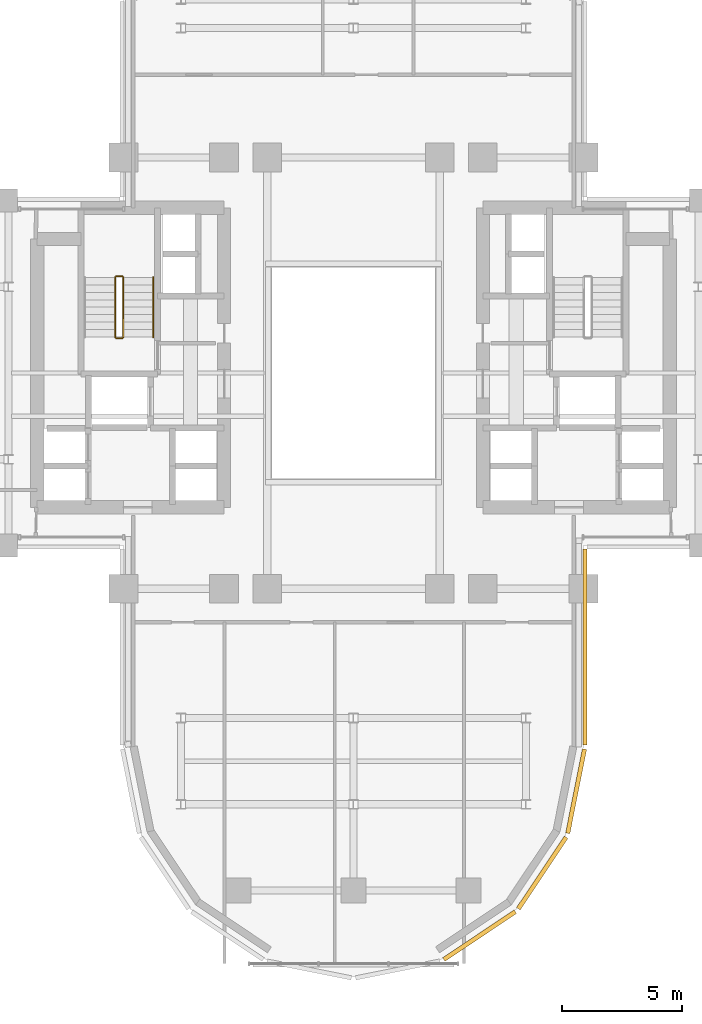
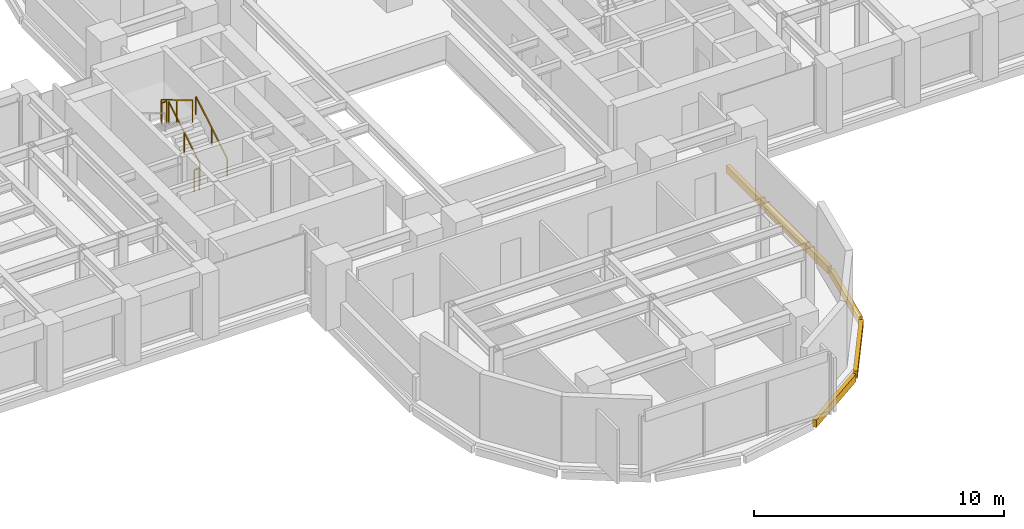
# One storey, part 14 of 16: 5 railings, 4 coverings.
"""IFC4 building model written with IfcOpenShell, lengths in metres."""

from ifc_helpers import new_model, si_unit, direction, frame, origin, origin_2d, place, context, subcontext, project, spatial, rectangle, extrude, source, transform, mapped, material, layer, layer_set, type_object, element, save


model = new_model("IFC4")

# Units and contexts
model_context = context("Model", 3, precision=1e-05, world=origin(), true_north=direction((0.0, 1.0)))
body_context = subcontext(model_context, "Body", "Model", "MODEL_VIEW")
ifc_project = project(units=[si_unit("LENGTHUNIT", "METRE"), si_unit("AREAUNIT", "SQUARE_METRE"), si_unit("VOLUMEUNIT", "CUBIC_METRE"), si_unit("PLANEANGLEUNIT", "RADIAN"), si_unit("MASSUNIT", "GRAM", prefix="KILO")], contexts=[model_context])

# Site, building, storey
site_placement = place(None, origin())
site = spatial("IfcSite", under=ifc_project, at=site_placement, CompositionType="ELEMENT")
building_placement = place(site_placement, origin())
building = spatial("IfcBuilding", under=site, at=building_placement, Name="Keilestroom Media Tower", CompositionType="ELEMENT")
storey_placement = place(building_placement, frame((0.0, 0.0, 71.39990234375)))
storey = spatial("IfcBuildingStorey", under=building, at=storey_placement, Name="L18", CompositionType="ELEMENT", Elevation=71.39990234375)

# Railings
ifc_material_1 = material(Name="Brushed Stainless Steel 1.4301", Category="steel")
railing_type_1 = type_object("IfcRailingType", Name="Stair-Pitch-Handrail-920", PredefinedType="HANDRAIL", material=ifc_material_1)
railing_1_placement = place(storey_placement, frame((-8.35009765625, 1.5, 0.18896484375)))
element("IfcRailing", 1, at=railing_1_placement, inside=storey, type_object=railing_type_1, Name="L18 ST-1 stair handrail 1", PredefinedType="HANDRAIL", context=body_context, shape_type="SweptSolid", body=[
    extrude(rectangle(XDim=0.048095703125, YDim=0.048095703125, at=origin_2d()), frame((0.0, 0.0, 0.8759765625), z_axis=(0.0, 0.855433747314, 0.517912255074), x_axis=(-1.0, 0.0, 0.0)), (0.0, 0.0, 1.0), 2.91796875),
    extrude(rectangle(XDim=0.0419921875, YDim=0.0419921875, at=origin_2d()), origin(), (0.0, 0.0, 1.0), 0.84375),
    extrude(rectangle(XDim=0.0419921875, YDim=0.0419921875, at=origin_2d()), frame((0.0, 1.248046875, 0.755615234375)), (0.0, 0.0, 1.0), 0.84375),
    extrude(rectangle(XDim=0.0419921875, YDim=0.0419921875, at=origin_2d()), frame((0.0, 2.49609375, 1.51123046875)), (0.0, 0.0, 1.0), 0.84375),
])
ifc_material_2 = material(Name="Painted Steel Balustrade", Category="steel")
railing_type_2 = type_object("IfcRailingType", Name="Stair-Well-And-Landing-Guard-1100", PredefinedType="GUARDRAIL", material=ifc_material_2)
railing_2_placement = place(storey_placement, frame((-9.610107421875, 1.5, 0.18896484375)))
element("IfcRailing", 2, at=railing_2_placement, inside=storey, type_object=railing_type_2, Name="L18 ST-1 stair guard 1", PredefinedType="GUARDRAIL", context=body_context, shape_type="SweptSolid", body=[
    extrude(rectangle(XDim=0.048095703125, YDim=0.048095703125, at=origin_2d()), frame((0.0, 0.0, 1.076171875), z_axis=(0.0, 0.855433747314, 0.517912255074), x_axis=(-1.0, 0.0, 0.0)), (0.0, 0.0, 1.0), 2.91796875),
    extrude(rectangle(XDim=0.0419921875, YDim=0.0419921875, at=origin_2d()), origin(), (0.0, 0.0, 1.0), 1.0439453125),
    extrude(rectangle(XDim=0.0419921875, YDim=0.0419921875, at=origin_2d()), frame((0.0, 1.248046875, 0.755615234375)), (0.0, 0.0, 1.0), 1.0439453125),
    extrude(rectangle(XDim=0.0419921875, YDim=0.0419921875, at=origin_2d()), frame((0.0, 2.49609375, 1.51123046875)), (0.0, 0.0, 1.0), 1.0439453125),
])
railing_3_placement = place(storey_placement, frame((-9.659912109375, 4.0458984375, 1.7001953125)))
element("IfcRailing", 3, at=railing_3_placement, inside=storey, type_object=railing_type_2, Name="L18 ST-1 stair guard 2", PredefinedType="GUARDRAIL", context=body_context, shape_type="SweptSolid", body=[
    extrude(rectangle(XDim=0.048095703125, YDim=0.048095703125, at=origin_2d()), frame((0.0, 0.0, 1.076171875), z_axis=(-1.0, 0.0, 0.0), x_axis=(0.0, -1.0, 0.0)), (0.0, 0.0, 1.0), 0.239990234375),
    extrude(rectangle(XDim=0.0419921875, YDim=0.0419921875, at=origin_2d()), origin(), (0.0, 0.0, 1.0), 1.0439453125),
    extrude(rectangle(XDim=0.0419921875, YDim=0.0419921875, at=origin_2d()), frame((-0.239990234375, 0.0, 0.0)), (0.0, 0.0, 1.0), 1.0439453125),
])
railing_4_placement = place(storey_placement, frame((-9.949951171875, 3.99609375, 1.888916015625)))
element("IfcRailing", 4, at=railing_4_placement, inside=storey, type_object=railing_type_2, Name="L18 ST-1 stair guard 3", PredefinedType="GUARDRAIL", context=body_context, shape_type="SweptSolid", body=[
    extrude(rectangle(XDim=0.048095703125, YDim=0.048095703125, at=origin_2d()), frame((0.0, 0.0, 1.076171875), z_axis=(0.0, -0.855433747314, 0.517912255074), x_axis=(1.0, 0.0, 0.0)), (0.0, 0.0, 1.0), 2.91796875),
    extrude(rectangle(XDim=0.0419921875, YDim=0.0419921875, at=origin_2d()), origin(), (0.0, 0.0, 1.0), 1.0439453125),
    extrude(rectangle(XDim=0.0419921875, YDim=0.0419921875, at=origin_2d()), frame((0.0, -1.248046875, 0.755615234375)), (0.0, 0.0, 1.0), 1.0439453125),
    extrude(rectangle(XDim=0.0419921875, YDim=0.0419921875, at=origin_2d()), frame((0.0, -2.49609375, 1.51123046875)), (0.0, 0.0, 1.0), 1.0439453125),
])
railing_5_placement = place(storey_placement, frame((-9.659912109375, 1.449951171875, 0.0)))
element("IfcRailing", 5, at=railing_5_placement, inside=storey, type_object=railing_type_2, Name="L18 ST-1 stair guard 4", PredefinedType="GUARDRAIL", context=body_context, shape_type="SweptSolid", body=[
    extrude(rectangle(XDim=0.048095703125, YDim=0.048095703125, at=origin_2d()), frame((0.0, 0.0, 1.076171875), z_axis=(-1.0, 0.0, 0.0), x_axis=(0.0, -1.0, 0.0)), (0.0, 0.0, 1.0), 0.239990234375),
    extrude(rectangle(XDim=0.0419921875, YDim=0.0419921875, at=origin_2d()), origin(), (0.0, 0.0, 1.0), 1.0439453125),
    extrude(rectangle(XDim=0.0419921875, YDim=0.0419921875, at=origin_2d()), frame((-0.239990234375, 0.0, 0.0)), (0.0, 0.0, 1.0), 1.0439453125),
])

# Coverings
ifc_material_3 = material(Name="Precast concrete C40/50", Category="concrete")
ifc_layer = layer(ifc_material_3, 0.1201171875)
ifc_layer_set = layer_set([ifc_layer], Name="Precast concrete C40/50")
covering_type = type_object("IfcCoveringType", Name="Exterior-Precast-Spandrel-Cladding-Panel-120", PredefinedType="CLADDING", material=ifc_layer_set)
shared_shape_1 = source(origin(), body_context, "Body", "SweptSolid", [
    extrude(rectangle(XDim=8.166015625, YDim=0.179931640625, at=origin_2d()), origin(), (0.0, 0.0, 1.0), 0.360107421875),
])
covering_1_placement = place(storey_placement, frame((9.659912109375, -11.43310546875, -0.5400390625), z_axis=(0.0, 0.0, 1.0), x_axis=(0.0, -1.0, 0.0)))
element("IfcCovering", 6, at=covering_1_placement, inside=storey, type_object=covering_type, Name="L18 Precast Slab-Edge Fascia Cornice 06", PredefinedType="CLADDING", context=body_context, shape_type="MappedRepresentation", body=[
    mapped(shared_shape_1, transform((0.0, 0.0, 0.0), x_axis=(1.0, 0.0, 0.0), y_axis=(0.0, 1.0, 0.0), z_axis=(0.0, 0.0, 1.0), scale=1.0)),
])
shared_shape_2 = source(origin(), body_context, "Body", "SweptSolid", [
    extrude(rectangle(XDim=3.58349609375, YDim=0.179931640625, at=origin_2d()), origin(), (0.0, 0.0, 1.0), 0.360107421875),
])
covering_2_placement = place(storey_placement, frame((9.29296875, -17.45166015625, -0.5400390625), z_axis=(0.0, 0.0, 1.0), x_axis=(-0.195098880975, -0.980783577882, 0.0)))
element("IfcCovering", 7, at=covering_2_placement, inside=storey, type_object=covering_type, Name="L18 Precast Slab-Edge Fascia Cornice 07", PredefinedType="CLADDING", context=body_context, shape_type="MappedRepresentation", body=[
    mapped(shared_shape_2, transform((0.0, 0.0, 0.0), x_axis=(1.0, 0.0, 0.0), y_axis=(0.0, 1.0, 0.0), z_axis=(0.0, 0.0, 1.0), scale=1.0)),
])
shared_shape_3 = source(origin(), body_context, "Body", "SweptSolid", [
    extrude(rectangle(XDim=3.589599609375, YDim=0.179931640625, at=origin_2d()), origin(), (0.0, 0.0, 1.0), 0.360107421875),
])
for number, where, z_axis, x_axis, name in (
    (8, (7.878662109375, -20.8642578125, -0.5400390625), (0.0, 0.0, 1.0), (-0.555574586577, -0.831466703332, 0.0), "L18 Precast Slab-Edge Fascia Cornice 08"),
    (9, (5.264404296875, -23.478515625, -0.5400390625), (0.0, 0.0, 1.0), (-0.831466703332, -0.555574586577, 0.0), "L18 Precast Slab-Edge Fascia Cornice 09"),
):
    element("IfcCovering", number, at=place(storey_placement, frame(where, z_axis=z_axis, x_axis=x_axis)), inside=storey, type_object=covering_type, Name=name, PredefinedType="CLADDING", context=body_context, shape_type="MappedRepresentation", body=[
        mapped(shared_shape_3, transform((0.0, 0.0, 0.0), x_axis=(1.0, 0.0, 0.0), y_axis=(0.0, 1.0, 0.0), z_axis=(0.0, 0.0, 1.0), scale=1.0)),
    ])

save(model, "model.ifc")
